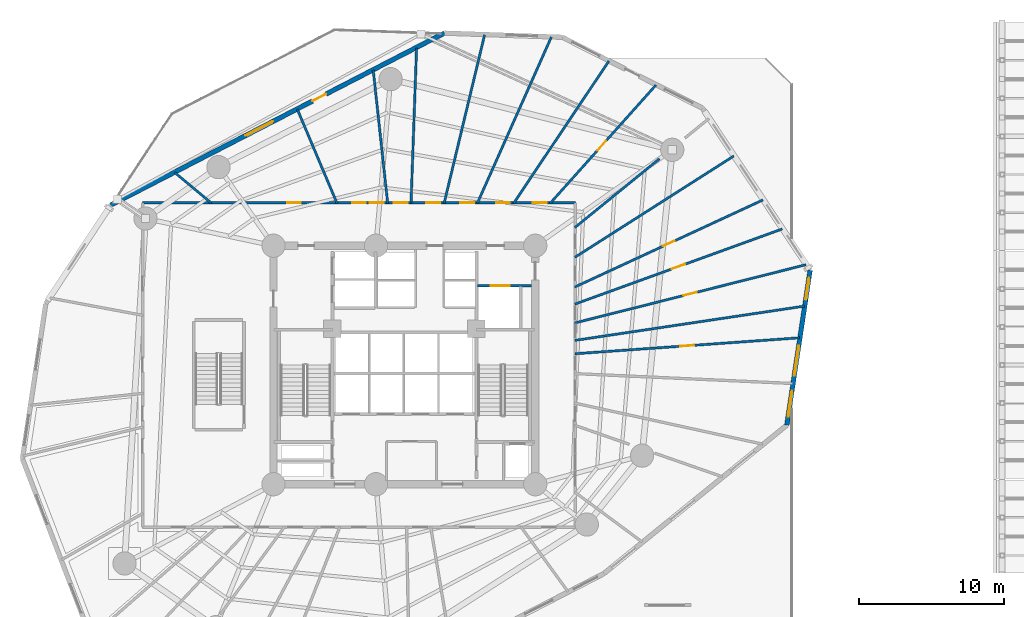
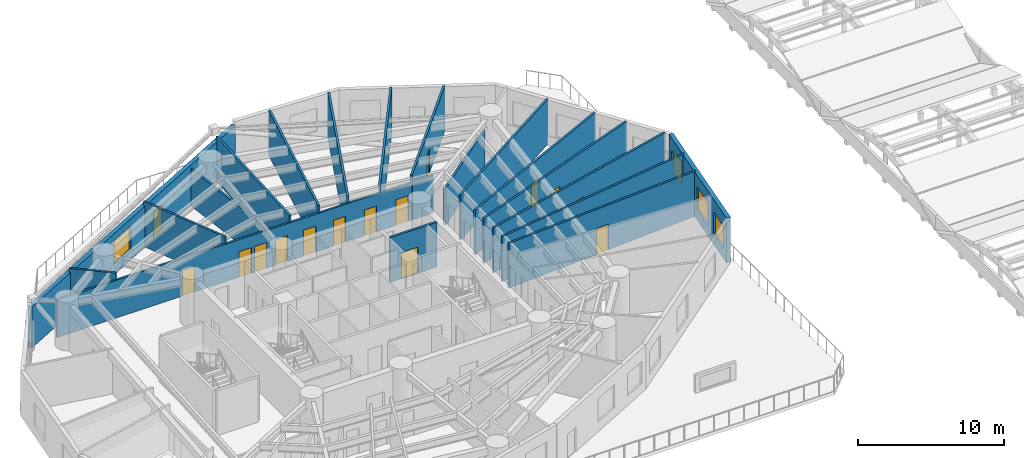
# One storey, part 10 of 16: 19 walls, 15 doors, 4 windows, 19 openings.
"""IFC4 building model written with IfcOpenShell, lengths in metres."""

from ifc_helpers import new_model, si_unit, direction, frame, frame_2d, origin, origin_with_axes, place, context, subcontext, project, spatial, rectangle, extrude, source, transform, mapped, material, layer, layer_set, type_object, element, fill, save


model = new_model("IFC4")

# Units and contexts
model_context = context("Model", 3, precision=1e-05, world=origin(), true_north=direction((0.0, 1.0)))
body_context = subcontext(model_context, "Body", "Model", "MODEL_VIEW")
ifc_project = project(units=[si_unit("LENGTHUNIT", "METRE"), si_unit("AREAUNIT", "SQUARE_METRE"), si_unit("VOLUMEUNIT", "CUBIC_METRE"), si_unit("PLANEANGLEUNIT", "RADIAN"), si_unit("MASSUNIT", "GRAM", prefix="KILO")], contexts=[model_context])

# Site, building, storey
site_placement = place(None, origin())
site = spatial("IfcSite", under=ifc_project, at=site_placement, CompositionType="ELEMENT")
building_placement = place(site_placement, origin())
building = spatial("IfcBuilding", under=site, at=building_placement, Name="Karkom Vertical University and Central Library", CompositionType="ELEMENT")
storey_placement = place(building_placement, frame((0.0, 0.0, 22.5)))
storey = spatial("IfcBuildingStorey", under=building, at=storey_placement, Name="L05", CompositionType="ELEMENT", Elevation=22.5)

# Wall, openings, windows
ifc_material_1 = material(Name="Brick-faced precast concrete C45/55", Category="masonry")
ifc_layer_1 = layer(ifc_material_1, 0.320068359375)
ifc_layer_set_1 = layer_set([ifc_layer_1], Name="Brick-faced precast concrete C45/55")
wall_type_1 = type_object("IfcWallType", Name="ENV-WL-BRK-320", PredefinedType="SOLIDWALL", material=ifc_layer_set_1)
wall_1_placement = place(storey_placement, frame((54.79736328125, 22.36279296875, 0.0), z_axis=(0.0, 0.0, 1.0), x_axis=(0.148832722849, 0.988862387094, 0.0)))
wall_1 = element("IfcWall", 1, at=wall_1_placement, inside=storey, type_object=wall_type_1, Name="Level 05 Brick-Faced Precast Facade Wall 08", PredefinedType="SOLIDWALL", context=body_context, shape_type="SweptSolid", body=[
    extrude(rectangle(XDim=10.767333984375, YDim=0.320068359375, at=frame_2d((5.3837890625, 0.0))), origin(), (0.0, 0.0, 1.0), 3.75),
])
opening_1_placement = place(wall_1_placement, frame((0.574462890625, 0.0, 0.85009765625)))
opening_1 = element("IfcOpeningElement", 2, at=opening_1_placement, cuts=wall_1, Name="Opening WN-04", PredefinedType="OPENING", context=body_context, shape_type="SweptSolid", body=[
    extrude(rectangle(XDim=1.800048828125, YDim=1.85009765625, at=frame_2d((0.89990234375, 0.925048828125))), frame((0.0, 0.169921875, 0.0), z_axis=(0.0, -1.0, 0.0), x_axis=(1.0, 0.0, 0.0)), (0.0, 0.0, 1.0), 0.340087890625),
])
opening_2_placement = place(wall_1_placement, frame((3.425537109375, 0.0, 0.85009765625)))
opening_2 = element("IfcOpeningElement", 3, at=opening_2_placement, cuts=wall_1, Name="Opening WN-03", PredefinedType="OPENING", context=body_context, shape_type="SweptSolid", body=[
    extrude(rectangle(XDim=2.10009765625, YDim=1.949951171875, at=frame_2d((1.050048828125, 0.97509765625))), frame((0.0, 0.169921875, 0.0), z_axis=(0.0, -1.0, 0.0), x_axis=(1.0, 0.0, 0.0)), (0.0, 0.0, 1.0), 0.340087890625),
])
opening_3_placement = place(wall_1_placement, frame((8.734130859375, 0.0, 0.85009765625)))
opening_3 = element("IfcOpeningElement", 4, at=opening_3_placement, cuts=wall_1, Name="Opening WN-05", PredefinedType="OPENING", context=body_context, shape_type="SweptSolid", body=[
    extrude(rectangle(XDim=1.5, YDim=1.85009765625, at=frame_2d((0.75, 0.925048828125))), frame((0.0, 0.169921875, 0.0), z_axis=(0.0, -1.0, 0.0), x_axis=(1.0, 0.0, 0.0)), (0.0, 0.0, 1.0), 0.340087890625),
])
ifc_material_2 = material(Name="Aluminium thermal-break frame with solar-control IGU", Category="aluminium")
window_type_1 = type_object("IfcWindowType", Name="ENV-WIN-WN-03", PartitioningType="SINGLE_PANEL", PredefinedType="WINDOW", material=ifc_material_2)
shared_shape_1 = source(origin_with_axes(), body_context, "Body", "SweptSolid", [
    extrude(rectangle(XDim=2.10009765625, YDim=1.949951171875, at=frame_2d((1.050048828125, 0.97509765625))), frame((0.0, 0.030029296875, 0.0), z_axis=(0.0, -1.0, 0.0), x_axis=(1.0, 0.0, 0.0)), (0.0, 0.0, 1.0), 0.06005859375),
])
window_1_placement = place(opening_2_placement, origin())
window_1 = element("IfcWindow", 5, at=window_1_placement, inside=storey, type_object=window_type_1, Name="Level 05 Punched Window 8.2", OverallHeight=1.949951171875, OverallWidth=2.10009765625, PartitioningType="SINGLE_PANEL", PredefinedType="WINDOW", context=body_context, shape_type="MappedRepresentation", body=[
    mapped(shared_shape_1, transform((0.0, 0.0, 0.0), scale=1.0)),
])
fill(opening_2, window_1)
window_type_2 = type_object("IfcWindowType", Name="ENV-WIN-WN-05", PartitioningType="SINGLE_PANEL", PredefinedType="WINDOW", material=ifc_material_2)
shared_shape_2 = source(origin_with_axes(), body_context, "Body", "SweptSolid", [
    extrude(rectangle(XDim=1.5, YDim=1.85009765625, at=frame_2d((0.75, 0.925048828125))), frame((0.0, 0.030029296875, 0.0), z_axis=(0.0, -1.0, 0.0), x_axis=(1.0, 0.0, 0.0)), (0.0, 0.0, 1.0), 0.06005859375),
])
window_2_placement = place(opening_3_placement, origin())
window_2 = element("IfcWindow", 6, at=window_2_placement, inside=storey, type_object=window_type_2, Name="Level 05 Punched Window 8.3", OverallHeight=1.85009765625, OverallWidth=1.5, PartitioningType="SINGLE_PANEL", PredefinedType="WINDOW", context=body_context, shape_type="MappedRepresentation", body=[
    mapped(shared_shape_2, transform((0.0, 0.0, 0.0), scale=1.0)),
])
fill(opening_3, window_2)
window_type_3 = type_object("IfcWindowType", Name="ENV-WIN-WN-04", PartitioningType="SINGLE_PANEL", PredefinedType="WINDOW", material=ifc_material_2)
shared_shape_3 = source(origin_with_axes(), body_context, "Body", "SweptSolid", [
    extrude(rectangle(XDim=1.800048828125, YDim=1.85009765625, at=frame_2d((0.89990234375, 0.925048828125))), frame((0.0, 0.030029296875, 0.0), z_axis=(0.0, -1.0, 0.0), x_axis=(1.0, 0.0, 0.0)), (0.0, 0.0, 1.0), 0.06005859375),
])
window_3_placement = place(opening_1_placement, origin())
window_3 = element("IfcWindow", 7, at=window_3_placement, inside=storey, type_object=window_type_3, Name="Level 05 Punched Window 8.1", OverallHeight=1.85009765625, OverallWidth=1.800048828125, PartitioningType="SINGLE_PANEL", PredefinedType="WINDOW", context=body_context, shape_type="MappedRepresentation", body=[
    mapped(shared_shape_3, transform((0.0, 0.0, 0.0), scale=1.0)),
])
fill(opening_1, window_3)

# Wall, openings, door, window
wall_2_placement = place(storey_placement, frame((31.257568359375, 49.3271484375, 0.0), z_axis=(0.0, 0.0, 1.0), x_axis=(-0.888776453035, -0.458340939182, 0.0)))
wall_2 = element("IfcWall", 8, at=wall_2_placement, inside=storey, type_object=wall_type_1, Name="Level 05 Brick-Faced Precast Facade Wall 12", PredefinedType="SOLIDWALL", context=body_context, shape_type="SweptSolid", body=[
    extrude(rectangle(XDim=25.82666015625, YDim=0.320068359375, at=frame_2d((12.913330078125, 0.0))), origin(), (0.0, 0.0, 1.0), 3.419921875),
])
opening_4_placement = place(wall_2_placement, frame((13.281005859375, 0.0, 0.85009765625)))
opening_4 = element("IfcOpeningElement", 9, at=opening_4_placement, cuts=wall_2, Name="Opening WN-03", PredefinedType="OPENING", context=body_context, shape_type="SweptSolid", body=[
    extrude(rectangle(XDim=2.10009765625, YDim=1.949951171875, at=frame_2d((1.050048828125, 0.97509765625))), frame((0.0, 0.169921875, 0.0), z_axis=(0.0, -1.0, 0.0), x_axis=(1.0, 0.0, 0.0)), (0.0, 0.0, 1.0), 0.340087890625),
])
opening_5_placement = place(wall_2_placement, frame((9.159912109375, 0.0, 0.0)))
opening_5 = element("IfcOpeningElement", 10, at=opening_5_placement, cuts=wall_2, Name="Opening TD-1", PredefinedType="OPENING", context=body_context, shape_type="SweptSolid", body=[
    extrude(rectangle(XDim=1.050048828125, YDim=2.1201171875, at=frame_2d((0.52490234375, 1.06005859375))), frame((0.0, 0.169921875, 0.0), z_axis=(0.0, -1.0, 0.0), x_axis=(1.0, 0.0, 0.0)), (0.0, 0.0, 1.0), 0.340087890625),
])
ifc_material_3 = material(Name="Thermally broken glazed aluminium terrace door", Category="aluminium")
door_type_1 = type_object("IfcDoorType", Name="ENV-DR-TERR", OperationType="NOTDEFINED", PredefinedType="DOOR", material=ifc_material_3)
shared_shape_4 = source(origin_with_axes(), body_context, "Body", "SweptSolid", [
    extrude(rectangle(XDim=1.050048828125, YDim=2.1201171875, at=frame_2d((0.52490234375, 1.06005859375))), frame((0.0, 0.02490234375, 0.0), z_axis=(0.0, -1.0, 0.0), x_axis=(1.0, 0.0, 0.0)), (0.0, 0.0, 1.0), 0.050048828125),
])
door_1_placement = place(opening_5_placement, origin())
door_1 = element("IfcDoor", 11, at=door_1_placement, inside=storey, type_object=door_type_1, Name="Level 05 Outdoor Terrace Access Door", OperationType="SINGLE_SWING_RIGHT", OverallHeight=2.1201171875, OverallWidth=1.050048828125, PredefinedType="DOOR", context=body_context, shape_type="MappedRepresentation", body=[
    mapped(shared_shape_4, transform((0.0, 0.0, 0.0), scale=1.0)),
])
fill(opening_5, door_1)
window_4_placement = place(opening_4_placement, origin())
window_4 = element("IfcWindow", 12, at=window_4_placement, inside=storey, type_object=window_type_1, Name="Level 05 Punched Window 12.2", OverallHeight=1.949951171875, OverallWidth=2.10009765625, PartitioningType="SINGLE_PANEL", PredefinedType="WINDOW", context=body_context, shape_type="MappedRepresentation", body=[
    mapped(shared_shape_1, transform((0.0, 0.0, 0.0), scale=1.0)),
])
fill(opening_4, window_4)

# Wall, openings, doors
ifc_material_4 = material(Name="Insulated metal-stud drywall 160mm", Category="gypsum")
ifc_layer_2 = layer(ifc_material_4, 0.159912109375)
ifc_layer_set_2 = layer_set([ifc_layer_2], Name="Insulated metal-stud drywall 160mm")
wall_type_2 = type_object("IfcWallType", Name="INT-WL-COR-160", PredefinedType="PARTITIONING", material=ifc_layer_set_2)
wall_3_placement = place(storey_placement, frame((10.5, 37.64990234375, 0.0), z_axis=(0.0, 0.0, 1.0), x_axis=(1.0, 0.0, 0.0)))
wall_3 = element("IfcWall", 13, at=wall_3_placement, inside=storey, type_object=wall_type_2, Name="Level 05 Interior Partition Wall Level 05-CORW-CW-003", PredefinedType="PARTITIONING", context=body_context, shape_type="SweptSolid", body=[
    extrude(rectangle(XDim=29.75, YDim=0.159912109375, at=frame_2d((14.875, 0.0))), origin(), (0.0, 0.0, 1.0), 3.14990234375),
])
opening_6_placement = place(wall_3_placement, frame((26.812744140625, 0.0, 0.0)))
opening_6 = element("IfcOpeningElement", 14, at=opening_6_placement, cuts=wall_3, Name="Opening FD-RM2", PredefinedType="OPENING", context=body_context, shape_type="SweptSolid", body=[
    extrude(rectangle(XDim=0.9599609375, YDim=2.14990234375, at=frame_2d((0.47998046875, 1.074951171875))), frame((0.0, 0.08984375, 0.0), z_axis=(0.0, -1.0, 0.0), x_axis=(1.0, 0.0, 0.0)), (0.0, 0.0, 1.0), 0.179931640625),
])
opening_7_placement = place(wall_3_placement, frame((24.311767578125, 0.0, 0.0)))
opening_7 = element("IfcOpeningElement", 15, at=opening_7_placement, cuts=wall_3, Name="Opening D-RM1", PredefinedType="OPENING", context=body_context, shape_type="SweptSolid", body=[
    extrude(rectangle(XDim=0.949951171875, YDim=2.14990234375, at=frame_2d((0.47509765625, 1.074951171875))), frame((0.0, 0.08984375, 0.0), z_axis=(0.0, -1.0, 0.0), x_axis=(1.0, 0.0, 0.0)), (0.0, 0.0, 1.0), 0.179931640625),
])
opening_8_placement = place(wall_3_placement, frame((21.840087890625, 0.0, 0.0)))
opening_8 = element("IfcOpeningElement", 16, at=opening_8_placement, cuts=wall_3, Name="Opening D-RM1", PredefinedType="OPENING", context=body_context, shape_type="SweptSolid", body=[
    extrude(rectangle(XDim=0.949951171875, YDim=2.14990234375, at=frame_2d((0.47509765625, 1.074951171875))), frame((0.0, 0.08984375, 0.0), z_axis=(0.0, -1.0, 0.0), x_axis=(1.0, 0.0, 0.0)), (0.0, 0.0, 1.0), 0.179931640625),
])
opening_9_placement = place(wall_3_placement, frame((19.49755859375, 0.0, 0.0)))
opening_9 = element("IfcOpeningElement", 17, at=opening_9_placement, cuts=wall_3, Name="Opening FD-RM2", PredefinedType="OPENING", context=body_context, shape_type="SweptSolid", body=[
    extrude(rectangle(XDim=0.9599609375, YDim=2.14990234375, at=frame_2d((0.47998046875, 1.074951171875))), frame((0.0, 0.08984375, 0.0), z_axis=(0.0, -1.0, 0.0), x_axis=(1.0, 0.0, 0.0)), (0.0, 0.0, 1.0), 0.179931640625),
])
opening_10_placement = place(wall_3_placement, frame((17.2724609375, 0.0, 0.0)))
opening_10 = element("IfcOpeningElement", 18, at=opening_10_placement, cuts=wall_3, Name="Opening D-RM1", PredefinedType="OPENING", context=body_context, shape_type="SweptSolid", body=[
    extrude(rectangle(XDim=0.949951171875, YDim=2.14990234375, at=frame_2d((0.47509765625, 1.074951171875))), frame((0.0, 0.08984375, 0.0), z_axis=(0.0, -1.0, 0.0), x_axis=(1.0, 0.0, 0.0)), (0.0, 0.0, 1.0), 0.179931640625),
])
opening_11_placement = place(wall_3_placement, frame((15.62548828125, 0.0, 0.0)))
opening_11 = element("IfcOpeningElement", 19, at=opening_11_placement, cuts=wall_3, Name="Opening D-RM1", PredefinedType="OPENING", context=body_context, shape_type="SweptSolid", body=[
    extrude(rectangle(XDim=0.949951171875, YDim=2.14990234375, at=frame_2d((0.47509765625, 1.074951171875))), frame((0.0, 0.08984375, 0.0), z_axis=(0.0, -1.0, 0.0), x_axis=(1.0, 0.0, 0.0)), (0.0, 0.0, 1.0), 0.179931640625),
])
opening_12_placement = place(wall_3_placement, frame((14.39990234375, 0.0, 0.0)))
opening_12 = element("IfcOpeningElement", 20, at=opening_12_placement, cuts=wall_3, Name="Opening FD-RM2", PredefinedType="OPENING", context=body_context, shape_type="SweptSolid", body=[
    extrude(rectangle(XDim=0.9599609375, YDim=2.14990234375, at=frame_2d((0.47998046875, 1.074951171875))), frame((0.0, 0.08984375, 0.0), z_axis=(0.0, -1.0, 0.0), x_axis=(1.0, 0.0, 0.0)), (0.0, 0.0, 1.0), 0.179931640625),
])
opening_13_placement = place(wall_3_placement, frame((9.9375, 0.0, 0.0)))
opening_13 = element("IfcOpeningElement", 21, at=opening_13_placement, cuts=wall_3, Name="Opening D-RM1", PredefinedType="OPENING", context=body_context, shape_type="SweptSolid", body=[
    extrude(rectangle(XDim=0.949951171875, YDim=2.14990234375, at=frame_2d((0.47509765625, 1.074951171875))), frame((0.0, 0.08984375, 0.0), z_axis=(0.0, -1.0, 0.0), x_axis=(1.0, 0.0, 0.0)), (0.0, 0.0, 1.0), 0.179931640625),
])
ifc_material_5 = material(Name="Fire-rated oak veneer door", Category="wood")
door_type_2 = type_object("IfcDoorType", Name="INT-DR-FRM2", OperationType="NOTDEFINED", PredefinedType="DOOR", material=ifc_material_5)
shared_shape_5 = source(origin_with_axes(), body_context, "Body", "SweptSolid", [
    extrude(rectangle(XDim=0.9599609375, YDim=2.14990234375, at=frame_2d((0.47998046875, 1.074951171875))), frame((0.0, 0.02490234375, 0.0), z_axis=(0.0, -1.0, 0.0), x_axis=(1.0, 0.0, 0.0)), (0.0, 0.0, 1.0), 0.050048828125),
])
door_2_placement = place(opening_6_placement, origin())
door_2 = element("IfcDoor", 22, at=door_2_placement, inside=storey, type_object=door_type_2, Name="Level 05 Room Entry Door 210", OperationType="SINGLE_SWING_LEFT", OverallHeight=2.14990234375, OverallWidth=0.9599609375, PredefinedType="DOOR", context=body_context, shape_type="MappedRepresentation", body=[
    mapped(shared_shape_5, transform((0.0, 0.0, 0.0), scale=1.0)),
])
fill(opening_6, door_2)
door_3_placement = place(opening_9_placement, origin())
door_3 = element("IfcDoor", 23, at=door_3_placement, inside=storey, type_object=door_type_2, Name="Level 05 Room Entry Door 240", OperationType="SINGLE_SWING_RIGHT", OverallHeight=2.14990234375, OverallWidth=0.9599609375, PredefinedType="DOOR", context=body_context, shape_type="MappedRepresentation", body=[
    mapped(shared_shape_5, transform((0.0, 0.0, 0.0), scale=1.0)),
])
fill(opening_9, door_3)
door_4_placement = place(opening_12_placement, origin())
door_4 = element("IfcDoor", 24, at=door_4_placement, inside=storey, type_object=door_type_2, Name="Level 05 Room Entry Door 270", OperationType="SINGLE_SWING_LEFT", OverallHeight=2.14990234375, OverallWidth=0.9599609375, PredefinedType="DOOR", context=body_context, shape_type="MappedRepresentation", body=[
    mapped(shared_shape_5, transform((0.0, 0.0, 0.0), scale=1.0)),
])
fill(opening_12, door_4)
ifc_material_6 = material(Name="Solid-core oak veneer door", Category="wood")
door_type_3 = type_object("IfcDoorType", Name="INT-DR-RM1", OperationType="NOTDEFINED", PredefinedType="DOOR", material=ifc_material_6)
shared_shape_6 = source(origin_with_axes(), body_context, "Body", "SweptSolid", [
    extrude(rectangle(XDim=0.949951171875, YDim=2.14990234375, at=frame_2d((0.47509765625, 1.074951171875))), frame((0.0, 0.02490234375, 0.0), z_axis=(0.0, -1.0, 0.0), x_axis=(1.0, 0.0, 0.0)), (0.0, 0.0, 1.0), 0.050048828125),
])
door_5_placement = place(opening_7_placement, origin())
door_5 = element("IfcDoor", 25, at=door_5_placement, inside=storey, type_object=door_type_3, Name="Level 05 Room Entry Door 220", OperationType="SINGLE_SWING_RIGHT", OverallHeight=2.14990234375, OverallWidth=0.949951171875, PredefinedType="DOOR", context=body_context, shape_type="MappedRepresentation", body=[
    mapped(shared_shape_6, transform((0.0, 0.0, 0.0), scale=1.0)),
])
fill(opening_7, door_5)
door_6_placement = place(opening_8_placement, origin())
door_6 = element("IfcDoor", 26, at=door_6_placement, inside=storey, type_object=door_type_3, Name="Level 05 Room Entry Door 230", OperationType="SINGLE_SWING_LEFT", OverallHeight=2.14990234375, OverallWidth=0.949951171875, PredefinedType="DOOR", context=body_context, shape_type="MappedRepresentation", body=[
    mapped(shared_shape_6, transform((0.0, 0.0, 0.0), scale=1.0)),
])
fill(opening_8, door_6)
door_7_placement = place(opening_10_placement, origin())
door_7 = element("IfcDoor", 27, at=door_7_placement, inside=storey, type_object=door_type_3, Name="Level 05 Room Entry Door 250", OperationType="SINGLE_SWING_LEFT", OverallHeight=2.14990234375, OverallWidth=0.949951171875, PredefinedType="DOOR", context=body_context, shape_type="MappedRepresentation", body=[
    mapped(shared_shape_6, transform((0.0, 0.0, 0.0), scale=1.0)),
])
fill(opening_10, door_7)
door_8_placement = place(opening_11_placement, origin())
door_8 = element("IfcDoor", 28, at=door_8_placement, inside=storey, type_object=door_type_3, Name="Level 05 Room Entry Door 260", OperationType="SINGLE_SWING_RIGHT", OverallHeight=2.14990234375, OverallWidth=0.949951171875, PredefinedType="DOOR", context=body_context, shape_type="MappedRepresentation", body=[
    mapped(shared_shape_6, transform((0.0, 0.0, 0.0), scale=1.0)),
])
fill(opening_11, door_8)
door_9_placement = place(opening_13_placement, origin())
door_9 = element("IfcDoor", 29, at=door_9_placement, inside=storey, type_object=door_type_3, Name="Level 05 Room Entry Door 280", OperationType="SINGLE_SWING_RIGHT", OverallHeight=2.14990234375, OverallWidth=0.949951171875, PredefinedType="DOOR", context=body_context, shape_type="MappedRepresentation", body=[
    mapped(shared_shape_6, transform((0.0, 0.0, 0.0), scale=1.0)),
])
fill(opening_13, door_9)

# Wall, opening, door
wall_4_placement = place(storey_placement, frame((40.206298828125, 29.38720703125, 0.0), z_axis=(0.0, 0.0, 1.0), x_axis=(0.969703998049, 0.24428294285, 0.0)))
wall_4 = element("IfcWall", 30, at=wall_4_placement, inside=storey, type_object=wall_type_2, Name="Level 05 Interior Partition Wall Level 05-PW-020", PredefinedType="PARTITIONING", context=body_context, shape_type="SweptSolid", body=[
    extrude(rectangle(XDim=16.4013671875, YDim=0.159912109375, at=frame_2d((8.20068359375, 0.0))), origin(), (0.0, 0.0, 1.0), 3.75),
])
opening_14_placement = place(wall_4_placement, frame((7.70068359375, 0.0, 0.0)))
opening_14 = element("IfcOpeningElement", 31, at=opening_14_placement, cuts=wall_4, Name="Opening D-RM1", PredefinedType="OPENING", context=body_context, shape_type="SweptSolid", body=[
    extrude(rectangle(XDim=0.949951171875, YDim=2.14990234375, at=frame_2d((0.47509765625, 1.074951171875))), frame((0.0, 0.08984375, 0.0), z_axis=(0.0, -1.0, 0.0), x_axis=(1.0, 0.0, 0.0)), (0.0, 0.0, 1.0), 0.179931640625),
])
door_10_placement = place(opening_14_placement, origin())
door_10 = element("IfcDoor", 32, at=door_10_placement, inside=storey, type_object=door_type_3, Name="Level 05 Room Entry Door 160", OperationType="SINGLE_SWING_RIGHT", OverallHeight=2.14990234375, OverallWidth=0.949951171875, PredefinedType="DOOR", context=body_context, shape_type="MappedRepresentation", body=[
    mapped(shared_shape_6, transform((0.0, 0.0, 0.0), scale=1.0)),
])
fill(opening_14, door_10)

# Wall
wall_5_placement = place(storey_placement, frame((40.22021484375, 28.189453125, 0.0), z_axis=(0.0, 0.0, 1.0), x_axis=(0.989031993376, 0.147701442372, 0.0)))
element("IfcWall", 33, at=wall_5_placement, inside=storey, type_object=wall_type_2, Name="Level 05 Interior Partition Wall Level 05-PW-019", PredefinedType="PARTITIONING", context=body_context, shape_type="SweptSolid", body=[
    extrude(rectangle(XDim=15.955810546875, YDim=0.159912109375, at=frame_2d((7.97802734375, 0.0))), origin(), (0.0, 0.0, 1.0), 3.75),
])

# Wall, opening, door
wall_6_placement = place(storey_placement, frame((40.22021484375, 27.27197265625, 0.0), z_axis=(0.0, 0.0, 1.0), x_axis=(0.997489402504, 0.070815901405, 0.0)))
wall_6 = element("IfcWall", 34, at=wall_6_placement, inside=storey, type_object=wall_type_2, Name="Level 05 Interior Partition Wall Level 05-PW-018", PredefinedType="PARTITIONING", context=body_context, shape_type="SweptSolid", body=[
    extrude(rectangle(XDim=15.4931640625, YDim=0.159912109375, at=frame_2d((7.74658203125, 0.0))), origin(), (0.0, 0.0, 1.0), 3.75),
])
opening_15_placement = place(wall_6_placement, frame((7.254150390625, 0.0, 0.0)))
opening_15 = element("IfcOpeningElement", 35, at=opening_15_placement, cuts=wall_6, Name="Opening FD-RM2", PredefinedType="OPENING", context=body_context, shape_type="SweptSolid", body=[
    extrude(rectangle(XDim=0.9599609375, YDim=2.14990234375, at=frame_2d((0.47998046875, 1.074951171875))), frame((0.0, 0.08984375, 0.0), z_axis=(0.0, -1.0, 0.0), x_axis=(1.0, 0.0, 0.0)), (0.0, 0.0, 1.0), 0.179931640625),
])
door_11_placement = place(opening_15_placement, origin())
door_11 = element("IfcDoor", 36, at=door_11_placement, inside=storey, type_object=door_type_2, Name="Level 05 Room Entry Door 150", OperationType="SINGLE_SWING_LEFT", OverallHeight=2.14990234375, OverallWidth=0.9599609375, PredefinedType="DOOR", context=body_context, shape_type="MappedRepresentation", body=[
    mapped(shared_shape_5, transform((0.0, 0.0, 0.0), scale=1.0)),
])
fill(opening_15, door_11)

wall_7_placement = place(storey_placement, frame((40.2216796875, 30.6845703125, 0.0), z_axis=(0.0, 0.0, 1.0), x_axis=(0.940161852345, 0.340728178166, 0.0)))
wall_7 = element("IfcWall", 37, at=wall_7_placement, inside=storey, type_object=wall_type_2, Name="Level 05 Interior Partition Wall Level 05-PW-022", PredefinedType="PARTITIONING", context=body_context, shape_type="SweptSolid", body=[
    extrude(rectangle(XDim=15.165283203125, YDim=0.159912109375, at=frame_2d((7.58251953125, 0.0))), origin(), (0.0, 0.0, 1.0), 3.75),
])
opening_16_placement = place(wall_7_placement, frame((7.090087890625, 0.0, 0.0)))
opening_16 = element("IfcOpeningElement", 38, at=opening_16_placement, cuts=wall_7, Name="Opening FD-RM2", PredefinedType="OPENING", context=body_context, shape_type="SweptSolid", body=[
    extrude(rectangle(XDim=0.9599609375, YDim=2.14990234375, at=frame_2d((0.47998046875, 1.074951171875))), frame((0.0, 0.08984375, 0.0), z_axis=(0.0, -1.0, 0.0), x_axis=(1.0, 0.0, 0.0)), (0.0, 0.0, 1.0), 0.179931640625),
])
door_12_placement = place(opening_16_placement, origin())
door_12 = element("IfcDoor", 39, at=door_12_placement, inside=storey, type_object=door_type_2, Name="Level 05 Room Entry Door 180", OperationType="SINGLE_SWING_LEFT", OverallHeight=2.14990234375, OverallWidth=0.9599609375, PredefinedType="DOOR", context=body_context, shape_type="MappedRepresentation", body=[
    mapped(shared_shape_5, transform((0.0, 0.0, 0.0), scale=1.0)),
])
fill(opening_16, door_12)

wall_8_placement = place(storey_placement, frame((40.209228515625, 31.854736328125, 0.0), z_axis=(0.0, 0.0, 1.0), x_axis=(0.907470894389, 0.420114955502, 0.0)))
wall_8 = element("IfcWall", 40, at=wall_8_placement, inside=storey, type_object=wall_type_2, Name="Level 05 Interior Partition Wall Level 05-PW-023", PredefinedType="PARTITIONING", context=body_context, shape_type="SweptSolid", body=[
    extrude(rectangle(XDim=14.265625, YDim=0.159912109375, at=frame_2d((7.1328125, 0.0))), origin(), (0.0, 0.0, 1.0), 3.75),
])
opening_17_placement = place(wall_8_placement, frame((6.70263671875, 0.0, 0.0)))
opening_17 = element("IfcOpeningElement", 41, at=opening_17_placement, cuts=wall_8, Name="Opening FD-BTH2", PredefinedType="OPENING", context=body_context, shape_type="SweptSolid", body=[
    extrude(rectangle(XDim=0.860107421875, YDim=2.0400390625, at=frame_2d((0.43017578125, 1.02001953125))), frame((0.0, 0.08984375, 0.0), z_axis=(0.0, -1.0, 0.0), x_axis=(1.0, 0.0, 0.0)), (0.0, 0.0, 1.0), 0.179931640625),
])
ifc_material_7 = material(Name="Fire-rated moisture-resistant oak door", Category="wood")
door_type_4 = type_object("IfcDoorType", Name="INT-DR-FBTH2", OperationType="NOTDEFINED", PredefinedType="DOOR", material=ifc_material_7)
shared_shape_7 = source(origin_with_axes(), body_context, "Body", "SweptSolid", [
    extrude(rectangle(XDim=0.860107421875, YDim=2.0400390625, at=frame_2d((0.43017578125, 1.02001953125))), frame((0.0, 0.02490234375, 0.0), z_axis=(0.0, -1.0, 0.0), x_axis=(1.0, 0.0, 0.0)), (0.0, 0.0, 1.0), 0.050048828125),
])
door_13_placement = place(opening_17_placement, origin())
door_13 = element("IfcDoor", 42, at=door_13_placement, inside=storey, type_object=door_type_4, Name="Level 05 University Seminar Classroom Entry Door", OperationType="SINGLE_SWING_LEFT", OverallHeight=2.0400390625, OverallWidth=0.860107421875, PredefinedType="DOOR", context=body_context, shape_type="MappedRepresentation", body=[
    mapped(shared_shape_7, transform((0.0, 0.0, 0.0), scale=1.0)),
])
fill(opening_17, door_13)

# Walls
wall_9_placement = place(storey_placement, frame((40.224609375, 33.90380859375, 0.0), z_axis=(0.0, 0.0, 1.0), x_axis=(0.843218121952, 0.537571575524, 0.0)))
element("IfcWall", 43, at=wall_9_placement, inside=storey, type_object=wall_type_2, Name="Level 05 Interior Partition Wall Level 05-PW-024", PredefinedType="PARTITIONING", context=body_context, shape_type="SweptSolid", body=[
    extrude(rectangle(XDim=12.955322265625, YDim=0.159912109375, at=frame_2d((6.4775390625, 0.0))), origin(), (0.0, 0.0, 1.0), 3.75),
])
wall_10_placement = place(storey_placement, frame((33.517822265625, 37.62255859375, 0.0), z_axis=(0.0, 0.0, 1.0), x_axis=(0.40672565057, 0.913550351742, 0.0)))
element("IfcWall", 44, at=wall_10_placement, inside=storey, type_object=wall_type_2, Name="Level 05 Interior Partition Wall Level 05-PW-029", PredefinedType="PARTITIONING", context=body_context, shape_type="SweptSolid", body=[
    extrude(rectangle(XDim=12.497314453125, YDim=0.159912109375, at=frame_2d((6.24853515625, 0.0))), origin(), (0.0, 0.0, 1.0), 3.75),
])
wall_11_placement = place(storey_placement, frame((31.23388671875, 37.620849609375, 0.0), z_axis=(0.0, 0.0, 1.0), x_axis=(0.233633384218, 0.972324761476, 0.0)))
element("IfcWall", 45, at=wall_11_placement, inside=storey, type_object=wall_type_2, Name="Level 05 Interior Partition Wall Level 05-PW-030", PredefinedType="PARTITIONING", context=body_context, shape_type="SweptSolid", body=[
    extrude(rectangle(XDim=11.91259765625, YDim=0.159912109375, at=frame_2d((5.956298828125, 0.0))), origin(), (0.0, 0.0, 1.0), 3.75),
])
wall_12_placement = place(storey_placement, frame((36.010498046875, 37.612548828125, 0.0), z_axis=(0.0, 0.0, 1.0), x_axis=(0.556249955488, 0.831015034172, 0.0)))
element("IfcWall", 46, at=wall_12_placement, inside=storey, type_object=wall_type_2, Name="Level 05 Interior Partition Wall Level 05-PW-028", PredefinedType="PARTITIONING", context=body_context, shape_type="SweptSolid", body=[
    extrude(rectangle(XDim=11.771484375, YDim=0.159912109375, at=frame_2d((5.8857421875, 0.0))), origin(), (0.0, 0.0, 1.0), 3.75),
])

# Wall, opening, door
wall_13_placement = place(storey_placement, frame((38.523681640625, 37.616455078125, 0.0), z_axis=(0.0, 0.0, 1.0), x_axis=(0.666694800969, 0.745330827459, 0.0)))
wall_13 = element("IfcWall", 47, at=wall_13_placement, inside=storey, type_object=wall_type_2, Name="Level 05 Interior Partition Wall Level 05-PW-027", PredefinedType="PARTITIONING", context=body_context, shape_type="SweptSolid", body=[
    extrude(rectangle(XDim=10.9130859375, YDim=0.159912109375, at=frame_2d((5.45654296875, 0.0))), origin(), (0.0, 0.0, 1.0), 3.75),
])
opening_18_placement = place(wall_13_placement, frame((4.886474609375, 0.0, 0.0)))
opening_18 = element("IfcOpeningElement", 48, at=opening_18_placement, cuts=wall_13, Name="Opening FD-BTH2", PredefinedType="OPENING", context=body_context, shape_type="SweptSolid", body=[
    extrude(rectangle(XDim=0.860107421875, YDim=2.0400390625, at=frame_2d((0.43017578125, 1.02001953125))), frame((0.0, 0.08984375, 0.0), z_axis=(0.0, -1.0, 0.0), x_axis=(1.0, 0.0, 0.0)), (0.0, 0.0, 1.0), 0.179931640625),
])
door_14_placement = place(opening_18_placement, origin())
door_14 = element("IfcDoor", 49, at=door_14_placement, inside=storey, type_object=door_type_4, Name="Level 05 University Seminar Classroom Entry Door", OperationType="SINGLE_SWING_RIGHT", OverallHeight=2.0400390625, OverallWidth=0.860107421875, PredefinedType="DOOR", context=body_context, shape_type="MappedRepresentation", body=[
    mapped(shared_shape_7, transform((0.0, 0.0, 0.0), scale=1.0)),
])
fill(opening_18, door_14)

# Walls
wall_14_placement = place(storey_placement, frame((28.956787109375, 37.6201171875, 0.0), z_axis=(0.0, 0.0, 1.0), x_axis=(0.035640191825, 0.999364686552, 0.0)))
element("IfcWall", 50, at=wall_14_placement, inside=storey, type_object=wall_type_2, Name="Level 05 Interior Partition Wall Level 05-PW-031", PredefinedType="PARTITIONING", context=body_context, shape_type="SweptSolid", body=[
    extrude(rectangle(XDim=10.686279296875, YDim=0.159912109375, at=frame_2d((5.34326171875, 0.0))), origin(), (0.0, 0.0, 1.0), 3.75),
])
wall_15_placement = place(storey_placement, frame((27.352294921875, 37.6201171875, 0.0), z_axis=(0.0, 0.0, 1.0), x_axis=(-0.107990771292, 0.994151896501, 0.0)))
element("IfcWall", 51, at=wall_15_placement, inside=storey, type_object=wall_type_2, Name="Level 05 Interior Partition Wall Level 05-PW-032", PredefinedType="PARTITIONING", context=body_context, shape_type="SweptSolid", body=[
    extrude(rectangle(XDim=9.201171875, YDim=0.159912109375, at=frame_2d((4.6005859375, 0.0))), origin(), (0.0, 0.0, 1.0), 3.10009765625),
])
wall_16_placement = place(storey_placement, frame((40.215087890625, 35.945068359375, 0.0), z_axis=(0.0, 0.0, 1.0), x_axis=(0.77599360837, 0.630740770657, 0.0)))
element("IfcWall", 52, at=wall_16_placement, inside=storey, type_object=wall_type_2, Name="Level 05 Interior Partition Wall Level 05-PW-025", PredefinedType="PARTITIONING", context=body_context, shape_type="SweptSolid", body=[
    extrude(rectangle(XDim=7.50634765625, YDim=0.159912109375, at=frame_2d((3.753173828125, 0.0))), origin(), (0.0, 0.0, 1.0), 3.10009765625),
])
wall_17_placement = place(storey_placement, frame((23.87255859375, 37.608642578125, 0.0), z_axis=(0.0, 0.0, 1.0), x_axis=(-0.389116211811, 0.921188674326, 0.0)))
element("IfcWall", 53, at=wall_17_placement, inside=storey, type_object=wall_type_2, Name="Level 05 Interior Partition Wall Level 05-PW-034", PredefinedType="PARTITIONING", context=body_context, shape_type="SweptSolid", body=[
    extrude(rectangle(XDim=7.02587890625, YDim=0.159912109375, at=frame_2d((3.512939453125, 0.0))), origin(), (0.0, 0.0, 1.0), 3.75),
])
wall_18_placement = place(storey_placement, frame((15.234130859375, 37.630859375, 0.0), z_axis=(0.0, 0.0, 1.0), x_axis=(-0.768282285562, 0.640111185413, 0.0)))
element("IfcWall", 54, at=wall_18_placement, inside=storey, type_object=wall_type_2, Name="Level 05 Interior Partition Wall Level 05-PW-035", PredefinedType="PARTITIONING", context=body_context, shape_type="SweptSolid", body=[
    extrude(rectangle(XDim=3.280029296875, YDim=0.159912109375, at=frame_2d((1.64013671875, 0.0))), origin(), (0.0, 0.0, 1.0), 3.75),
])

# Wall, opening, door
ifc_material_8 = material(Name="Twin-stud acoustic drywall 180mm", Category="gypsum")
ifc_layer_3 = layer(ifc_material_8, 0.179931640625)
ifc_layer_set_3 = layer_set([ifc_layer_3], Name="Twin-stud acoustic drywall 180mm")
wall_type_3 = type_object("IfcWallType", Name="INT-WL-TEN-180F", PredefinedType="PARTITIONING", material=ifc_layer_set_3)
wall_19_placement = place(storey_placement, frame((33.534912109375, 31.949951171875, 0.0), z_axis=(0.0, 0.0, 1.0), x_axis=(1.0, 0.0, 0.0)))
wall_19 = element("IfcWall", 55, at=wall_19_placement, inside=storey, type_object=wall_type_3, Name="Level 05 Interior Partition Wall Level 05-CW-SVL-N", PredefinedType="PARTITIONING", context=body_context, shape_type="SweptSolid", body=[
    extrude(rectangle(XDim=3.708740234375, YDim=0.179931640625, at=frame_2d((1.8544921875, 0.0))), origin(), (0.0, 0.0, 1.0), 3.75),
])
opening_19_placement = place(wall_19_placement, frame((0.89990234375, 0.0, 0.0)))
opening_19 = element("IfcOpeningElement", 56, at=opening_19_placement, cuts=wall_19, Name="Opening LD-SV1", PredefinedType="OPENING", context=body_context, shape_type="SweptSolid", body=[
    extrude(rectangle(XDim=1.300048828125, YDim=2.199951171875, at=frame_2d((0.64990234375, 1.10009765625))), frame((0.0, 0.10009765625, 0.0), z_axis=(0.0, -1.0, 0.0), x_axis=(1.0, 0.0, 0.0)), (0.0, 0.0, 1.0), 0.199951171875),
])
ifc_material_9 = material(Name="Brushed stainless-steel landing door", Category="steel")
door_type_5 = type_object("IfcDoorType", Name="INT-DR-LD-SV1", OperationType="SLIDING_TO_LEFT", PredefinedType="DOOR", material=ifc_material_9)
shared_shape_8 = source(origin_with_axes(), body_context, "Body", "SweptSolid", [
    extrude(rectangle(XDim=1.300048828125, YDim=2.199951171875, at=frame_2d((0.64990234375, 1.10009765625))), frame((0.0, 0.02490234375, 0.0), z_axis=(0.0, -1.0, 0.0), x_axis=(1.0, 0.0, 0.0)), (0.0, 0.0, 1.0), 0.050048828125),
])
door_15_placement = place(opening_19_placement, origin())
door_15 = element("IfcDoor", 57, at=door_15_placement, inside=storey, type_object=door_type_5, Name="Level 05 Service Lift Landing Door LD-SV1", OperationType="SLIDING_TO_LEFT", OverallHeight=2.199951171875, OverallWidth=1.300048828125, PredefinedType="DOOR", context=body_context, shape_type="MappedRepresentation", body=[
    mapped(shared_shape_8, transform((0.0, 0.0, 0.0), scale=1.0)),
])
fill(opening_19, door_15)

save(model, "model.ifc")
